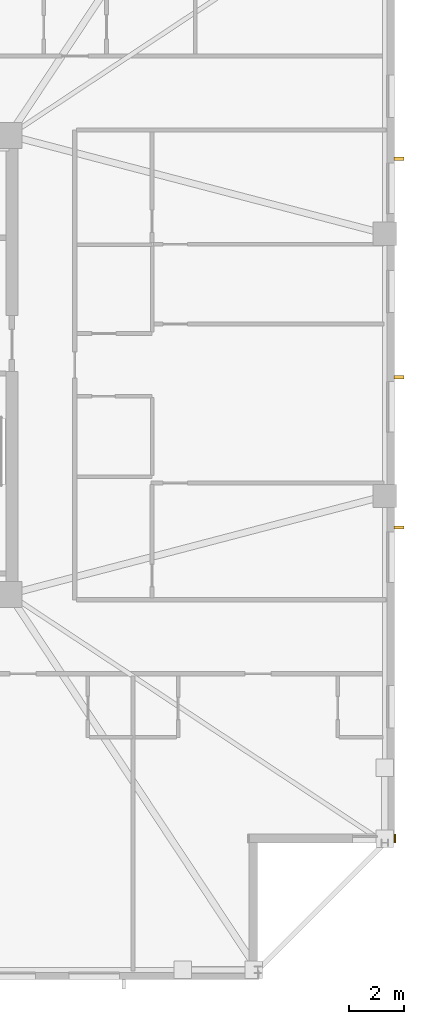
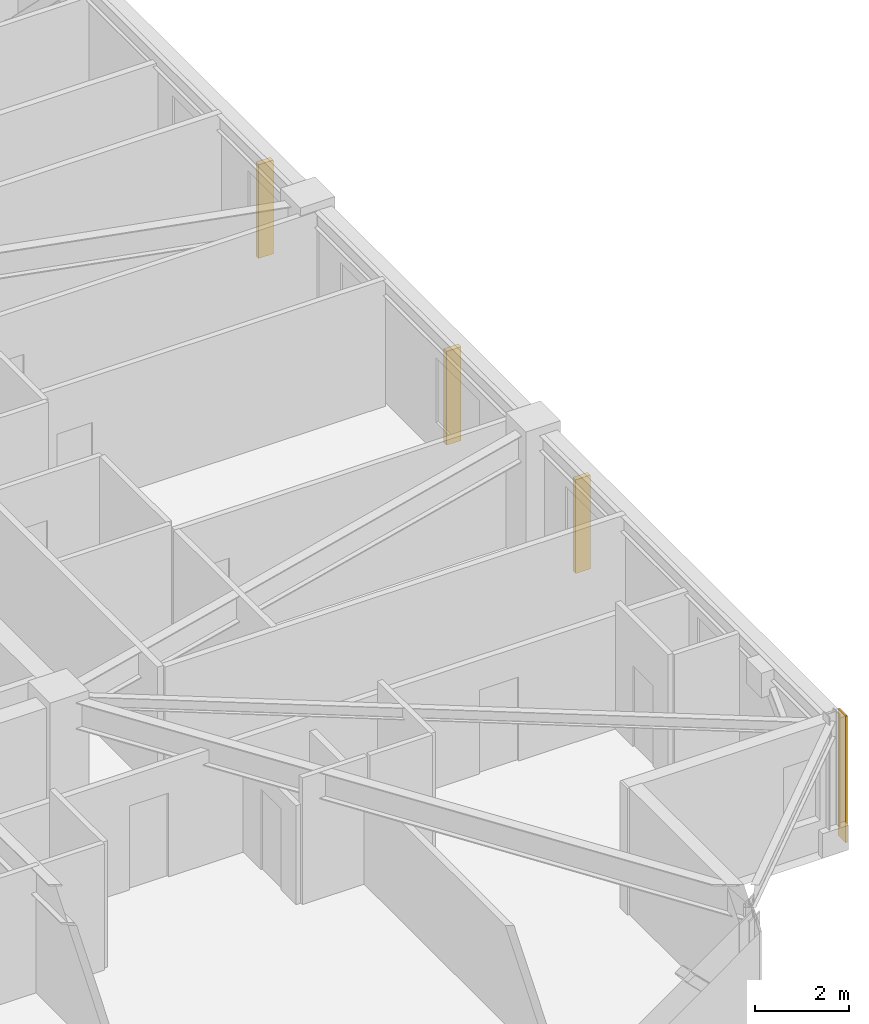
# One storey, part 15 of 17: 3 shading devices, 1 covering.
"""IFC4 building model written with IfcOpenShell, lengths in metres."""

from ifc_helpers import new_model, si_unit, direction, frame, frame_2d, origin, origin_2d, place, context, subcontext, project, spatial, rectangle, extrude, material, layer, layer_set, type_object, element, save


model = new_model("IFC4")

# Units and contexts
model_context = context("Model", 3, precision=1e-05, world=origin(), true_north=direction((0.0, 1.0)))
body_context = subcontext(model_context, "Body", "Model", "MODEL_VIEW")
ifc_project = project(units=[si_unit("LENGTHUNIT", "METRE"), si_unit("AREAUNIT", "SQUARE_METRE"), si_unit("VOLUMEUNIT", "CUBIC_METRE"), si_unit("PLANEANGLEUNIT", "RADIAN"), si_unit("MASSUNIT", "GRAM", prefix="KILO")], contexts=[model_context])

# Site, building, storey
site_placement = place(None, origin())
site = spatial("IfcSite", under=ifc_project, at=site_placement, CompositionType="ELEMENT")
building_placement = place(site_placement, origin())
building = spatial("IfcBuilding", under=site, at=building_placement, Name="Cairnveth Concourse Tower", CompositionType="ELEMENT")
storey_placement = place(building_placement, frame((0.0, 0.0, 216.5)))
storey = spatial("IfcBuildingStorey", under=building, at=storey_placement, Name="L59", CompositionType="ELEMENT", Elevation=216.5)

# Covering
ifc_material_1 = material(Name="Dressed Melbourne Bluestone Cladding", Category="masonry")
ifc_layer = layer(ifc_material_1, 0.050048828125)
ifc_layer_set = layer_set([ifc_layer], Name="Dressed Melbourne Bluestone Cladding")
covering_type = type_object("IfcCoveringType", Name="DRESSED BLUESTONE PLINTH CLADDING 50", PredefinedType="CLADDING", material=ifc_layer_set)
covering_placement = place(storey_placement, frame((74.52001953125, 21.820068359375, 0.0), z_axis=(0.0, 0.0, 1.0), x_axis=(0.0, -1.0, 0.0)))
element("IfcCovering", 1, at=covering_placement, inside=storey, type_object=covering_type, Name="Melbourne Bluestone Corner Quoin L59-883", PredefinedType="CLADDING", context=body_context, shape_type="SweptSolid", body=[
    extrude(rectangle(XDim=0.320068359375, YDim=0.050048828125, at=frame_2d((0.16015625, 0.0))), origin(), (0.0, 0.0, 1.0), 3.2900390625),
])

# Shading devices
ifc_material_2 = material(Name="Architectural Bronze Anodised Aluminium 6063-T6", Category="aluminium")
shading_device_type = type_object("IfcShadingDeviceType", Name="GOTHIC BRONZE VERTICAL LANCET FIN", PredefinedType="USERDEFINED", material=ifc_material_2)
for number, where, z_axis, x_axis, name in (
    (2, (74.675048828125, 46.546875, 0.030029296875), (0.0, 0.0, 1.0), (0.0, 1.0, 0.0), "Gothic Bronze Vertical Fin L59-3-3"),
    (3, (74.675048828125, 38.54638671875, 0.030029296875), (0.0, 0.0, 1.0), (0.0, 1.0, 0.0), "Gothic Bronze Vertical Fin L59-3-5"),
    (4, (74.675048828125, 33.0458984375, 0.030029296875), (0.0, 0.0, 1.0), (0.0, 1.0, 0.0), "Gothic Bronze Vertical Fin L59-3-7"),
):
    element("IfcShadingDevice", number, at=place(storey_placement, frame(where, z_axis=z_axis, x_axis=x_axis)), inside=storey, type_object=shading_device_type, Name=name, ObjectType="VERTICAL FIN", PredefinedType="USERDEFINED", context=body_context, shape_type="SweptSolid", body=[
        extrude(rectangle(XDim=0.1201171875, YDim=0.360107421875, at=origin_2d()), origin(), (0.0, 0.0, 1.0), 2.43798828125),
    ])

save(model, "model.ifc")
